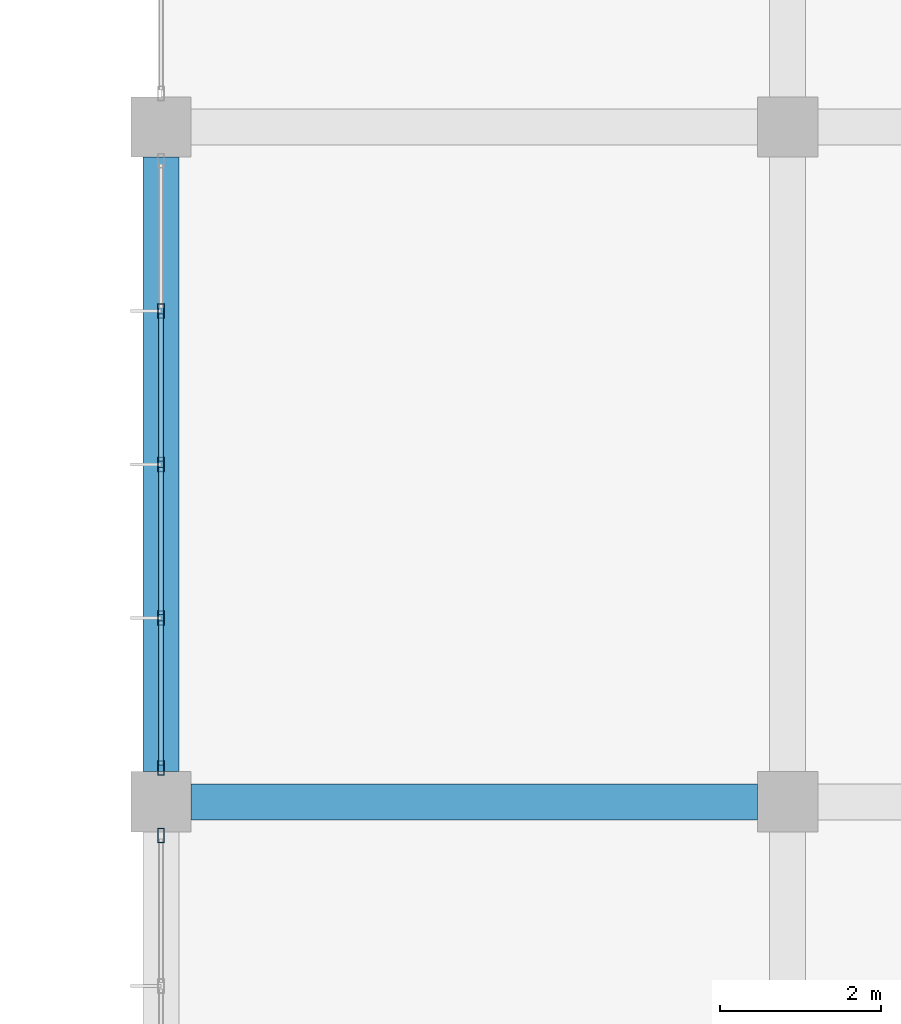
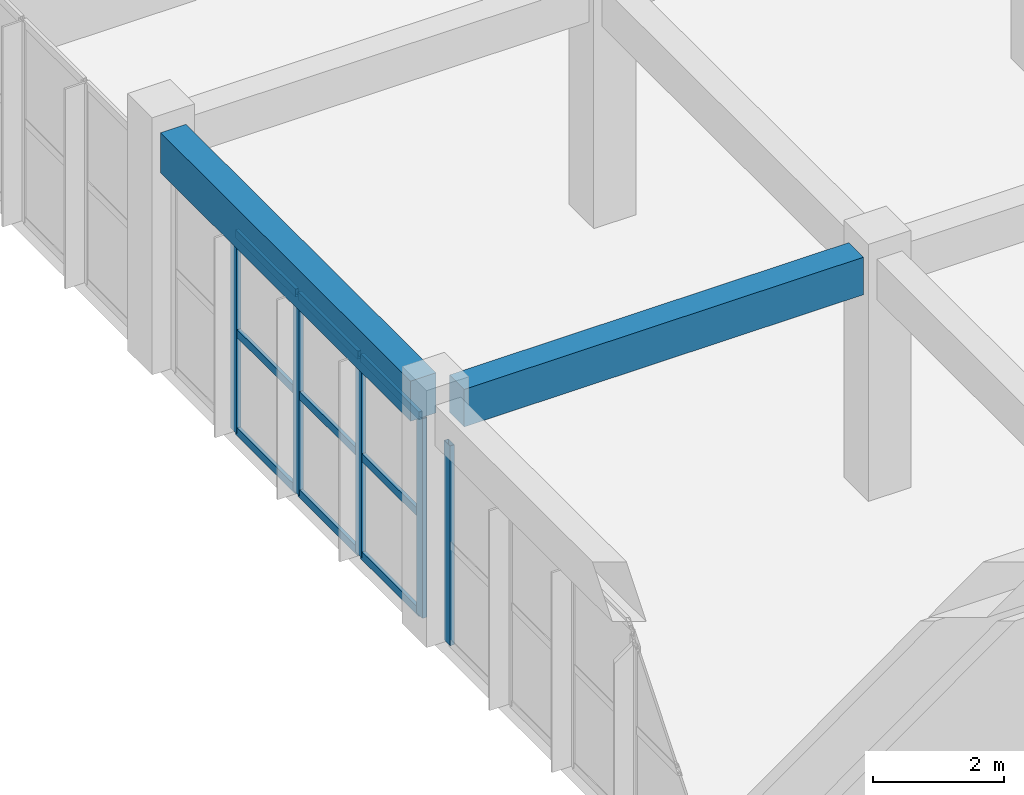
# One storey, part 16 of 167: 14 members, 2 beams, 2 elements without a shape of their own.
"""IFC4 building model written with IfcOpenShell, lengths in metres."""

from ifc_helpers import new_model, si_unit, direction, frame, origin, origin_2d, place, context, subcontext, project, spatial, rectangle, hollow_rectangle, extrude, material, layer, layer_set, material_profile, profile_set, type_object, element, aggregate, save


model = new_model("IFC4")

# Units and contexts
model_context = context("Model", 3, precision=1e-05, world=origin(), true_north=direction((0.0, 1.0)))
body_context = subcontext(model_context, "Body", "Model", "MODEL_VIEW")
ifc_project = project(units=[si_unit("LENGTHUNIT", "METRE"), si_unit("AREAUNIT", "SQUARE_METRE"), si_unit("VOLUMEUNIT", "CUBIC_METRE"), si_unit("PLANEANGLEUNIT", "RADIAN"), si_unit("MASSUNIT", "GRAM", prefix="KILO")], contexts=[model_context])

# Site, building, storey
site_placement = place(None, origin())
site = spatial("IfcSite", under=ifc_project, at=site_placement, CompositionType="ELEMENT")
building_placement = place(site_placement, origin())
building = spatial("IfcBuilding", under=site, at=building_placement, Name="Zizhar Promenade General Hospital", CompositionType="ELEMENT")
storey_placement = place(building_placement, frame((0.0, 0.0, 9.60009765625)))
storey = spatial("IfcBuildingStorey", under=building, at=storey_placement, Name="L02", CompositionType="ELEMENT", Elevation=9.60009765625)

# Beams
ifc_material_1 = material(Name="Concrete C35/45", Category="concrete")
ifc_material_profile_1 = material_profile(ifc_material_1, rectangle(XDim=0.449951171875, YDim=0.699951171875, at=origin_2d()))
ifc_profile_set_1 = profile_set([ifc_material_profile_1], Name="Concrete C35/45")
beam_type_1 = type_object("IfcBeamType", Name="BM-RC-450x700", PredefinedType="BEAM", material=ifc_profile_set_1)
beam_1_placement = place(storey_placement, frame((0.375, 33.60009765625, 4.119873046875), z_axis=(1.0, 0.0, 0.0), x_axis=(0.0, 1.0, 0.0)))
element("IfcBeam", 1, at=beam_1_placement, inside=storey, type_object=beam_type_1, Name="Grid Beam X L02 (0-4)", PredefinedType="BEAM", context=body_context, shape_type="SweptSolid", body=[
    extrude(rectangle(XDim=0.449951171875, YDim=0.699951171875, at=origin_2d()), origin(), (0.0, 0.0, 1.0), 7.050048828125),
])
ifc_material_2 = material(Name="Concrete C35/45", Category="concrete")
ifc_material_profile_2 = material_profile(ifc_material_2, rectangle(XDim=0.449951171875, YDim=0.75, at=origin_2d()))
ifc_profile_set_2 = profile_set([ifc_material_profile_2], Name="Concrete C35/45")
beam_type_2 = type_object("IfcBeamType", Name="BM-RC-450x750", PredefinedType="BEAM", material=ifc_profile_set_2)
beam_2_placement = place(storey_placement, frame((0.0, 33.97509765625, 4.094970703125), z_axis=(0.0, 1.0, 0.0), x_axis=(-1.0, 0.0, 0.0)))
element("IfcBeam", 2, at=beam_2_placement, inside=storey, type_object=beam_type_2, Name="Grid Beam Y L02 (0-4)", PredefinedType="BEAM", context=body_context, shape_type="SweptSolid", body=[
    extrude(rectangle(XDim=0.449951171875, YDim=0.75, at=origin_2d()), origin(), (0.0, 0.0, 1.0), 7.64990234375),
])

# Curtain wall, member
ifc_material_3 = material(Name="Anodised aluminium 6063-T6 and low-E glass", Category="aluminium")
ifc_layer = layer(ifc_material_3, 0.159912109375)
ifc_layer_set = layer_set([ifc_layer], Name="Anodised aluminium 6063-T6 and low-E glass")
curtain_wall_type = type_object("IfcCurtainWallType", Name="CW-ED-FRONT", PredefinedType="NOTDEFINED", material=ifc_layer_set)
curtain_wall_1_placement = place(storey_placement, origin())
curtain_wall_1 = element("IfcCurtainWall", 3, at=curtain_wall_1_placement, inside=storey, type_object=curtain_wall_type, Name="West Diagnostic Arm Glazed Curtain Wall L02-W3", PredefinedType="NOTDEFINED")
ifc_material_4 = material(Name="Anodised aluminium 6063-T6", Category="aluminium")
ifc_material_profile_3 = material_profile(ifc_material_4, hollow_rectangle(XDim=0.080078125, YDim=0.179931640625, WallThickness=0.0048828125, at=origin_2d()))
ifc_profile_set_3 = profile_set([ifc_material_profile_3], Name="Anodised aluminium 6063-T6")
member_type_1 = type_object("IfcMemberType", Name="CWM-ALU-180x80", PredefinedType="MULLION", material=ifc_profile_set_3)
member_1_placement = place(storey_placement, frame((0.0, 33.179931640625, 0.0), z_axis=(0.0, 0.0, 1.0), x_axis=(-1.0, 0.0, 0.0)))
member_1 = element("IfcMember", 4, at=member_1_placement, type_object=member_type_1, Name="CW-06 mullion 5", PredefinedType="MULLION", context=body_context, shape_type="SweptSolid", body=[
    extrude(hollow_rectangle(XDim=0.080078125, YDim=0.179931640625, WallThickness=0.0048828125, at=origin_2d()), origin(), (0.0, 0.0, 1.0), 3.72998046875),
])
aggregate(curtain_wall_1, [member_1])

# Curtain wall, members
curtain_wall_2_placement = place(storey_placement, origin())
curtain_wall_2 = element("IfcCurtainWall", 5, at=curtain_wall_2_placement, inside=storey, type_object=curtain_wall_type, Name="West Diagnostic Arm Glazed Curtain Wall L02-W4", PredefinedType="NOTDEFINED")
member_2_placement = place(storey_placement, frame((0.0, 34.02001953125, 0.0), z_axis=(0.0, 0.0, 1.0), x_axis=(-1.0, 0.0, 0.0)))
member_2 = element("IfcMember", 6, at=member_2_placement, type_object=member_type_1, Name="CW-06 mullion 1", PredefinedType="MULLION", context=body_context, shape_type="SweptSolid", body=[
    extrude(hollow_rectangle(XDim=0.080078125, YDim=0.179931640625, WallThickness=0.0048828125, at=origin_2d()), origin(), (0.0, 0.0, 1.0), 3.72998046875),
])
member_3_placement = place(storey_placement, frame((0.0, 35.889892578125, 0.0), z_axis=(0.0, 0.0, 1.0), x_axis=(-1.0, 0.0, 0.0)))
member_3 = element("IfcMember", 7, at=member_3_placement, type_object=member_type_1, Name="CW-06 mullion 2", PredefinedType="MULLION", context=body_context, shape_type="SweptSolid", body=[
    extrude(hollow_rectangle(XDim=0.080078125, YDim=0.179931640625, WallThickness=0.0048828125, at=origin_2d()), origin(), (0.0, 0.0, 1.0), 3.72998046875),
])
member_4_placement = place(storey_placement, frame((0.0, 37.800048828125, 0.0), z_axis=(0.0, 0.0, 1.0), x_axis=(-1.0, 0.0, 0.0)))
member_4 = element("IfcMember", 8, at=member_4_placement, type_object=member_type_1, Name="CW-06 mullion 3", PredefinedType="MULLION", context=body_context, shape_type="SweptSolid", body=[
    extrude(hollow_rectangle(XDim=0.080078125, YDim=0.179931640625, WallThickness=0.0048828125, at=origin_2d()), origin(), (0.0, 0.0, 1.0), 3.72998046875),
])
member_5_placement = place(storey_placement, frame((0.0, 39.7099609375, 0.0), z_axis=(0.0, 0.0, 1.0), x_axis=(-1.0, 0.0, 0.0)))
member_5 = element("IfcMember", 9, at=member_5_placement, type_object=member_type_1, Name="CW-06 mullion 4", PredefinedType="MULLION", context=body_context, shape_type="SweptSolid", body=[
    extrude(hollow_rectangle(XDim=0.080078125, YDim=0.179931640625, WallThickness=0.0048828125, at=origin_2d()), origin(), (0.0, 0.0, 1.0), 3.72998046875),
])
ifc_material_5 = material(Name="Anodised aluminium 6063-T6", Category="aluminium")
ifc_material_profile_4 = material_profile(ifc_material_5, hollow_rectangle(XDim=0.06005859375, YDim=0.14990234375, WallThickness=0.00390625, at=origin_2d()))
ifc_profile_set_4 = profile_set([ifc_material_profile_4], Name="Anodised aluminium 6063-T6")
member_type_2 = type_object("IfcMemberType", Name="CWT-ALU-150x60", PredefinedType="USERDEFINED", material=ifc_profile_set_4)
member_6_placement = place(storey_placement, frame((0.0, 34.06005859375, 0.02978515625), z_axis=(0.0, 1.0, 0.0), x_axis=(-1.0, 0.0, 0.0)))
member_6 = element("IfcMember", 10, at=member_6_placement, type_object=member_type_2, Name="CW-06 transom 1.1", ObjectType="TRANSOM", PredefinedType="USERDEFINED", context=body_context, shape_type="SweptSolid", body=[
    extrude(hollow_rectangle(XDim=0.06005859375, YDim=0.14990234375, WallThickness=0.00390625, at=origin_2d()), origin(), (0.0, 0.0, 1.0), 1.7900390625),
])
member_7_placement = place(storey_placement, frame((0.0, 34.06005859375, 1.864990234375), z_axis=(0.0, 1.0, 0.0), x_axis=(-1.0, 0.0, 0.0)))
member_7 = element("IfcMember", 11, at=member_7_placement, type_object=member_type_2, Name="CW-06 transom 1.2", ObjectType="TRANSOM", PredefinedType="USERDEFINED", context=body_context, shape_type="SweptSolid", body=[
    extrude(hollow_rectangle(XDim=0.06005859375, YDim=0.14990234375, WallThickness=0.00390625, at=origin_2d()), origin(), (0.0, 0.0, 1.0), 1.7900390625),
])
member_8_placement = place(storey_placement, frame((0.0, 34.06005859375, 3.699951171875), z_axis=(0.0, 1.0, 0.0), x_axis=(-1.0, 0.0, 0.0)))
member_8 = element("IfcMember", 12, at=member_8_placement, type_object=member_type_2, Name="CW-06 transom 1.3", ObjectType="TRANSOM", PredefinedType="USERDEFINED", context=body_context, shape_type="SweptSolid", body=[
    extrude(hollow_rectangle(XDim=0.06005859375, YDim=0.14990234375, WallThickness=0.00390625, at=origin_2d()), origin(), (0.0, 0.0, 1.0), 1.7900390625),
])
member_9_placement = place(storey_placement, frame((0.0, 35.929931640625, 0.02978515625), z_axis=(0.0, 1.0, 0.0), x_axis=(-1.0, 0.0, 0.0)))
member_9 = element("IfcMember", 13, at=member_9_placement, type_object=member_type_2, Name="CW-06 transom 2.1", ObjectType="TRANSOM", PredefinedType="USERDEFINED", context=body_context, shape_type="SweptSolid", body=[
    extrude(hollow_rectangle(XDim=0.06005859375, YDim=0.14990234375, WallThickness=0.00390625, at=origin_2d()), origin(), (0.0, 0.0, 1.0), 1.830078125),
])
member_10_placement = place(storey_placement, frame((0.0, 35.929931640625, 1.864990234375), z_axis=(0.0, 1.0, 0.0), x_axis=(-1.0, 0.0, 0.0)))
member_10 = element("IfcMember", 14, at=member_10_placement, type_object=member_type_2, Name="CW-06 transom 2.2", ObjectType="TRANSOM", PredefinedType="USERDEFINED", context=body_context, shape_type="SweptSolid", body=[
    extrude(hollow_rectangle(XDim=0.06005859375, YDim=0.14990234375, WallThickness=0.00390625, at=origin_2d()), origin(), (0.0, 0.0, 1.0), 1.830078125),
])
member_11_placement = place(storey_placement, frame((0.0, 35.929931640625, 3.699951171875), z_axis=(0.0, 1.0, 0.0), x_axis=(-1.0, 0.0, 0.0)))
member_11 = element("IfcMember", 15, at=member_11_placement, type_object=member_type_2, Name="CW-06 transom 2.3", ObjectType="TRANSOM", PredefinedType="USERDEFINED", context=body_context, shape_type="SweptSolid", body=[
    extrude(hollow_rectangle(XDim=0.06005859375, YDim=0.14990234375, WallThickness=0.00390625, at=origin_2d()), origin(), (0.0, 0.0, 1.0), 1.830078125),
])
member_12_placement = place(storey_placement, frame((0.0, 37.840087890625, 0.02978515625), z_axis=(0.0, 1.0, 0.0), x_axis=(-1.0, 0.0, 0.0)))
member_12 = element("IfcMember", 16, at=member_12_placement, type_object=member_type_2, Name="CW-06 transom 3.1", ObjectType="TRANSOM", PredefinedType="USERDEFINED", context=body_context, shape_type="SweptSolid", body=[
    extrude(hollow_rectangle(XDim=0.06005859375, YDim=0.14990234375, WallThickness=0.00390625, at=origin_2d()), origin(), (0.0, 0.0, 1.0), 1.829833984375),
])
member_13_placement = place(storey_placement, frame((0.0, 37.840087890625, 1.864990234375), z_axis=(0.0, 1.0, 0.0), x_axis=(-1.0, 0.0, 0.0)))
member_13 = element("IfcMember", 17, at=member_13_placement, type_object=member_type_2, Name="CW-06 transom 3.2", ObjectType="TRANSOM", PredefinedType="USERDEFINED", context=body_context, shape_type="SweptSolid", body=[
    extrude(hollow_rectangle(XDim=0.06005859375, YDim=0.14990234375, WallThickness=0.00390625, at=origin_2d()), origin(), (0.0, 0.0, 1.0), 1.829833984375),
])
member_14_placement = place(storey_placement, frame((0.0, 37.840087890625, 3.699951171875), z_axis=(0.0, 1.0, 0.0), x_axis=(-1.0, 0.0, 0.0)))
member_14 = element("IfcMember", 18, at=member_14_placement, type_object=member_type_2, Name="CW-06 transom 3.3", ObjectType="TRANSOM", PredefinedType="USERDEFINED", context=body_context, shape_type="SweptSolid", body=[
    extrude(hollow_rectangle(XDim=0.06005859375, YDim=0.14990234375, WallThickness=0.00390625, at=origin_2d()), origin(), (0.0, 0.0, 1.0), 1.829833984375),
])
aggregate(curtain_wall_2, [member_2, member_3, member_4, member_5, member_6, member_7, member_8, member_9, member_10, member_11, member_12, member_13, member_14])

save(model, "model.ifc")
